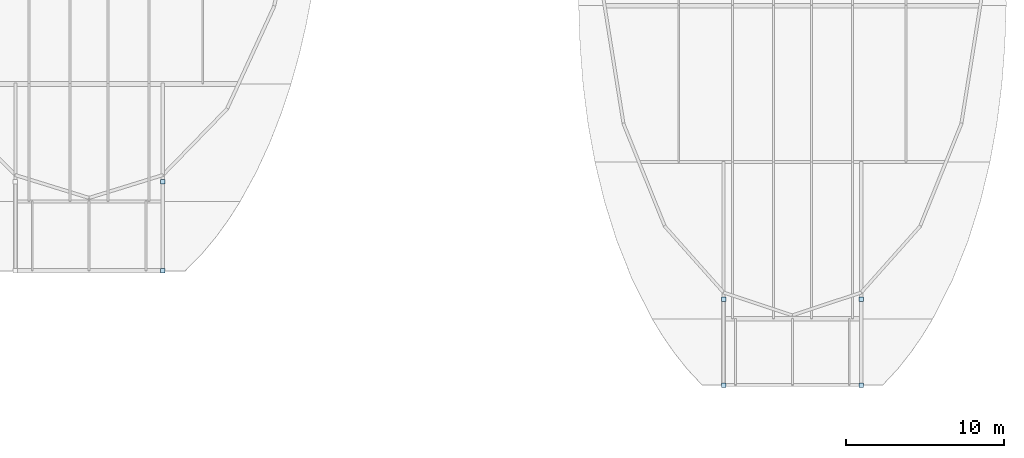
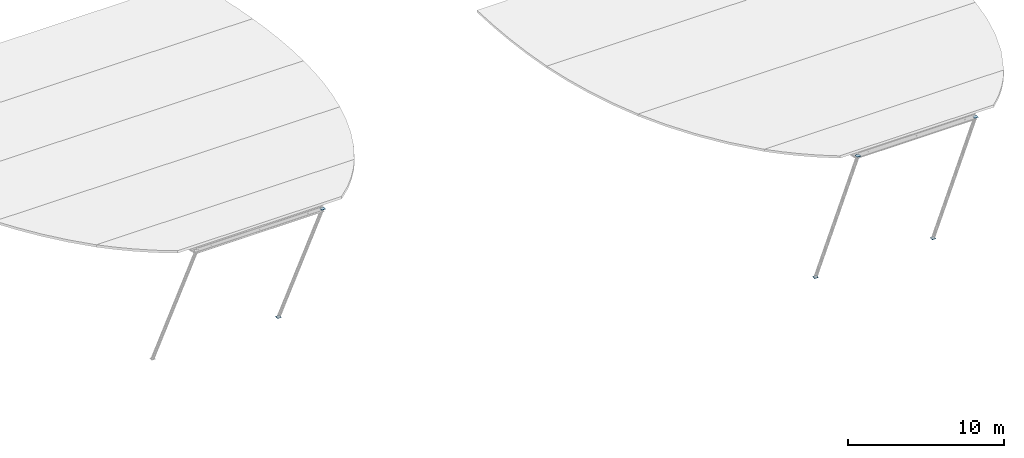
# One storey, part 7 of 9: 6 plates.
"""IFC4 building model written with IfcOpenShell, lengths in metres."""

from ifc_helpers import new_model, si_unit, direction, frame, origin, origin_2d, place, context, subcontext, project, spatial, rectangle, extrude, material, layer, layer_set, type_object, element, save


model = new_model("IFC4")

# Units and contexts
model_context = context("Model", 3, precision=1e-05, world=origin(), true_north=direction((0.0, 1.0)))
body_context = subcontext(model_context, "Body", "Model", "MODEL_VIEW")
ifc_project = project(units=[si_unit("LENGTHUNIT", "METRE"), si_unit("AREAUNIT", "SQUARE_METRE"), si_unit("VOLUMEUNIT", "CUBIC_METRE"), si_unit("PLANEANGLEUNIT", "RADIAN"), si_unit("MASSUNIT", "GRAM", prefix="KILO")], contexts=[model_context])

# Site, building, storey
site_placement = place(None, origin())
site = spatial("IfcSite", under=ifc_project, at=site_placement, CompositionType="ELEMENT")
building_placement = place(site_placement, origin())
building = spatial("IfcBuilding", under=site, at=building_placement, Name="Kaelora Sail Theatre", CompositionType="ELEMENT")
storey_placement = place(building_placement, frame((0.0, 0.0, 33.60009765625)))
storey = spatial("IfcBuildingStorey", under=building, at=storey_placement, Name="ROOF", CompositionType="ELEMENT", Elevation=33.60009765625)

# Plates
ifc_material = material(Name="Steel S355", Category="steel")
ifc_layer = layer(ifc_material, 0.02001953125)
ifc_layer_set = layer_set([ifc_layer], Name="Steel S355")
plate_type = type_object("IfcPlateType", Name="STR-PL-EP-20", PredefinedType="SHEET", material=ifc_layer_set)
for number, where, z_axis, x_axis, name in (
    (1, (95.26953125, 32.510498046875, -22.8681640625), (0.0, 0.0, 1.0), (1.0, 0.0, 0.0), "PS-01 Studio Theatre raking prow strut E end cap plate A"),
    (2, (95.26953125, 26.856201171875, -10.951904296875), (0.0, 0.0, 1.0), (1.0, 0.0, 0.0), "PS-01 Studio Theatre raking prow strut E end cap plate B"),
    (3, (130.793701171875, 25.072021484375, -27.66845703125), (0.0, 0.0, 1.0), (1.0, 0.0, 0.0), "PS-01 Black-Box Theatre raking prow strut W end cap plate A"),
    (4, (130.793701171875, 19.616455078125, -14.841796875), (0.0, 0.0, 1.0), (1.0, 0.0, 0.0), "PS-01 Black-Box Theatre raking prow strut W end cap plate B"),
    (5, (139.50634765625, 25.072021484375, -27.66845703125), (0.0, 0.0, 1.0), (1.0, 0.0, 0.0), "PS-01 Black-Box Theatre raking prow strut E end cap plate A"),
    (6, (139.50634765625, 19.616455078125, -14.841796875), (0.0, 0.0, 1.0), (1.0, 0.0, 0.0), "PS-01 Black-Box Theatre raking prow strut E end cap plate B"),
):
    element("IfcPlate", number, at=place(storey_placement, frame(where, z_axis=z_axis, x_axis=x_axis)), inside=storey, type_object=plate_type, Name=name, PredefinedType="SHEET", context=body_context, shape_type="SweptSolid", body=[
        extrude(rectangle(XDim=0.280029296875, YDim=0.280029296875, at=origin_2d()), origin(), (0.0, 0.0, 1.0), 0.02001953125),
    ])

save(model, "model.ifc")
